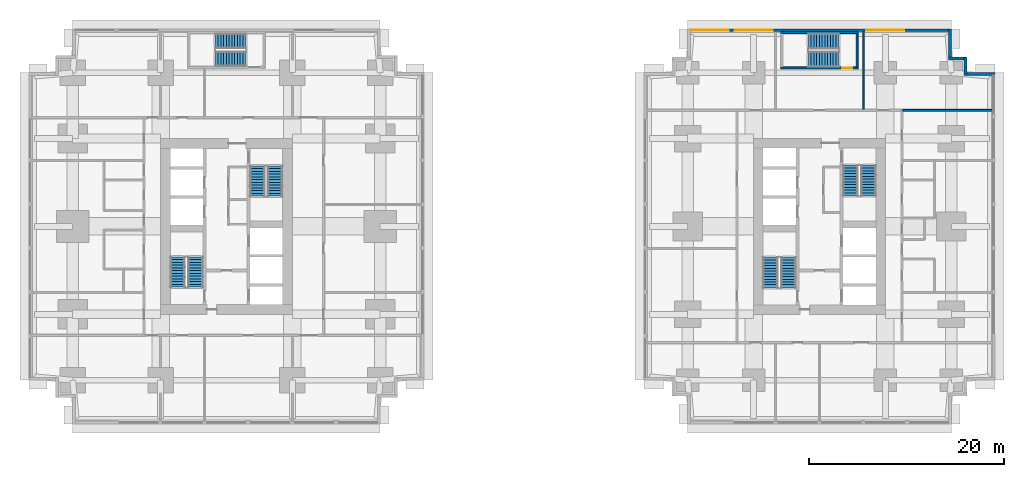
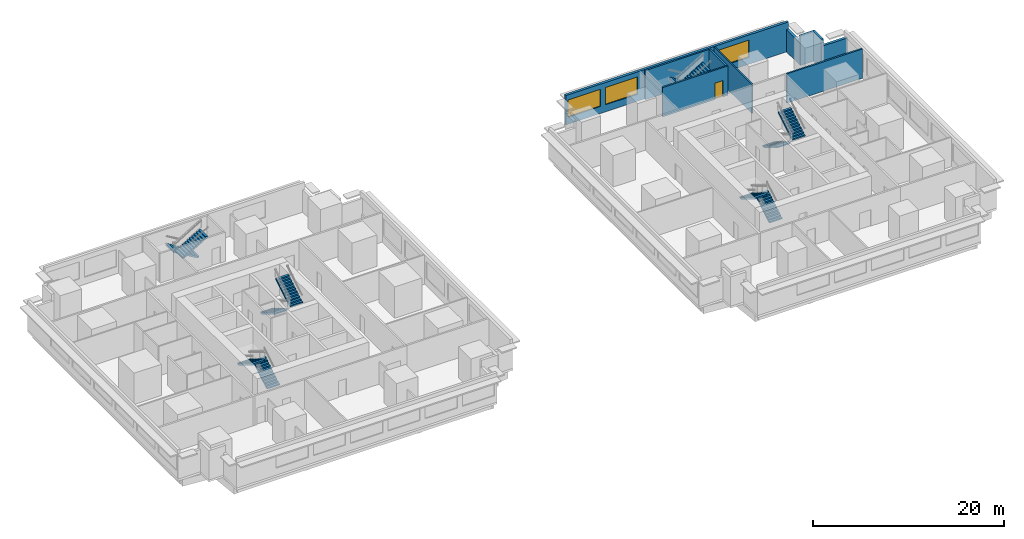
# One storey, part 8 of 11: 12 stair flights, 10 walls, 3 windows, 1 door, 4 openings, 6 elements without a shape of their own.
"""IFC4 building model written with IfcOpenShell, lengths in metres."""

from ifc_helpers import new_model, si_unit, direction, frame, frame_2d, origin, place, context, subcontext, project, spatial, polyline, rectangle, outline, extrude, material, layer, layer_set, type_object, element, fill, aggregate, save


model = new_model("IFC4")

# Units and contexts
model_context = context("Model", 3, precision=1e-05, world=origin(), true_north=direction((0.0, 1.0)))
body_context = subcontext(model_context, "Body", "Model", "MODEL_VIEW")
ifc_project = project(units=[si_unit("LENGTHUNIT", "METRE"), si_unit("AREAUNIT", "SQUARE_METRE"), si_unit("VOLUMEUNIT", "CUBIC_METRE"), si_unit("PLANEANGLEUNIT", "RADIAN"), si_unit("MASSUNIT", "GRAM", prefix="KILO")], contexts=[model_context])

# Site, building, storey
site_placement = place(None, origin())
site = spatial("IfcSite", under=ifc_project, at=site_placement, CompositionType="ELEMENT")
building_placement = place(site_placement, origin())
building = spatial("IfcBuilding", under=site, at=building_placement, Name="Namib Vertical Campus", CompositionType="ELEMENT")
storey_placement = place(building_placement, frame((0.0, 0.0, 41.0)))
storey = spatial("IfcBuildingStorey", under=building, at=storey_placement, Name="L09", CompositionType="ELEMENT", Elevation=41.0)

# Walls
ifc_material_1 = material(Name="Concrete masonry", Category="masonry")
ifc_layer_1 = layer(ifc_material_1, 0.199951171875)
ifc_layer_set_1 = layer_set([ifc_layer_1], Name="Corridor wall 200")
wall_type_1 = type_object("IfcWallType", Name="Corridor wall 200", PredefinedType="SOLIDWALL", material=ifc_layer_set_1)
wall_1_placement = place(storey_placement, frame((89.550048828125, 32.14990234375, 0.0), z_axis=(0.0, 0.0, 1.0), x_axis=(1.0, 0.0, 0.0)))
element("IfcWall", 1, at=wall_1_placement, inside=storey, type_object=wall_type_1, Name="Partition B L09 BNE", PredefinedType="SOLIDWALL", context=body_context, shape_type="SweptSolid", body=[
    extrude(rectangle(XDim=9.14990234375, YDim=0.199951171875, at=frame_2d((4.574951171875, 0.0))), origin(), (0.0, 0.0, 1.0), 3.75),
])
ifc_material_2 = material(Name="Concrete C40/50", Category="concrete")
ifc_layer_2 = layer(ifc_material_2, 0.300048828125)
ifc_layer_set_2 = layer_set([ifc_layer_2], Name="Concrete C40/50")
wall_type_2 = type_object("IfcWallType", Name="External wall 300 board-marked concrete", PredefinedType="STANDARD", material=ifc_layer_set_2)
wall_2_placement = place(storey_placement, frame((98.97998046875, 35.85009765625, 0.0), z_axis=(0.0, 0.0, 1.0), x_axis=(-1.0, 0.0, 0.0)))
element("IfcWall", 2, at=wall_2_placement, inside=storey, type_object=wall_type_2, Name="External wall L09 F07", PredefinedType="STANDARD", context=body_context, shape_type="SweptSolid", body=[
    extrude(rectangle(XDim=3.159912109375, YDim=0.300048828125, at=frame_2d((1.580078125, 0.0))), origin(), (0.0, 0.0, 1.0), 2.85009765625),
])
for number, where, z_axis, x_axis, name in (
    (3, (95.949951171875, 35.719970703125, 0.0), (0.0, 0.0, 1.0), (0.0, 1.0, 0.0), "External wall L09 F08"),
    (4, (96.080078125, 37.449951171875, 0.0), (0.0, 0.0, 1.0), (-1.0, 0.0, 0.0), "External wall L09 F09"),
):
    element("IfcWall", number, at=place(storey_placement, frame(where, z_axis=z_axis, x_axis=x_axis)), inside=storey, type_object=wall_type_2, Name=name, PredefinedType="STANDARD", context=body_context, shape_type="SweptSolid", body=[
        extrude(rectangle(XDim=1.860107421875, YDim=0.300048828125, at=frame_2d((0.93017578125, 0.0))), origin(), (0.0, 0.0, 1.0), 3.75),
    ])
wall_3_placement = place(storey_placement, frame((94.35009765625, 37.320068359375, 0.0), z_axis=(0.0, 0.0, 1.0), x_axis=(0.0, 1.0, 0.0)))
element("IfcWall", 5, at=wall_3_placement, inside=storey, type_object=wall_type_2, Name="External wall L09 F10", PredefinedType="STANDARD", context=body_context, shape_type="SweptSolid", body=[
    extrude(rectangle(XDim=3.159912109375, YDim=0.300048828125, at=frame_2d((1.580078125, 0.0))), origin(), (0.0, 0.0, 1.0), 2.85009765625),
])

# Wall, openings, windows
wall_4_placement = place(storey_placement, frame((94.47998046875, 40.35009765625, 0.0), z_axis=(0.0, 0.0, 1.0), x_axis=(-1.0, 0.0, 0.0)))
wall_4 = element("IfcWall", 6, at=wall_4_placement, inside=storey, type_object=wall_type_2, Name="External wall L09 F11", PredefinedType="STANDARD", context=body_context, shape_type="SweptSolid", body=[
    extrude(rectangle(XDim=26.9599609375, YDim=0.300048828125, at=frame_2d((13.47998046875, 0.0))), origin(), (0.0, 0.0, 1.0), 3.75),
])
opening_1_placement = place(wall_4_placement, frame((22.780029296875, 0.0, 0.89990234375)))
opening_1 = element("IfcOpeningElement", 7, at=opening_1_placement, cuts=wall_4, Name="Opening W1", PredefinedType="OPENING", context=body_context, shape_type="SweptSolid", body=[
    extrude(rectangle(XDim=3.89990234375, YDim=2.199951171875, at=frame_2d((1.949951171875, 1.10009765625))), frame((0.0, 0.159912109375, 0.0), z_axis=(0.0, -1.0, 0.0), x_axis=(1.0, 0.0, 0.0)), (0.0, 0.0, 1.0), 0.320068359375),
])
opening_2_placement = place(wall_4_placement, frame((18.280029296875, 0.0, 0.89990234375)))
opening_2 = element("IfcOpeningElement", 8, at=opening_2_placement, cuts=wall_4, Name="Opening W1", PredefinedType="OPENING", context=body_context, shape_type="SweptSolid", body=[
    extrude(rectangle(XDim=3.89990234375, YDim=2.199951171875, at=frame_2d((1.949951171875, 1.10009765625))), frame((0.0, 0.159912109375, 0.0), z_axis=(0.0, -1.0, 0.0), x_axis=(1.0, 0.0, 0.0)), (0.0, 0.0, 1.0), 0.320068359375),
])
opening_3_placement = place(wall_4_placement, frame((4.780029296875, 0.0, 0.89990234375)))
opening_3 = element("IfcOpeningElement", 9, at=opening_3_placement, cuts=wall_4, Name="Opening W1", PredefinedType="OPENING", context=body_context, shape_type="SweptSolid", body=[
    extrude(rectangle(XDim=3.89990234375, YDim=2.199951171875, at=frame_2d((1.949951171875, 1.10009765625))), frame((0.0, 0.159912109375, 0.0), z_axis=(0.0, -1.0, 0.0), x_axis=(1.0, 0.0, 0.0)), (0.0, 0.0, 1.0), 0.320068359375),
])
ifc_material_3 = material(Name="Dark tinted glass in black aluminium frame", Category="aluminium")
window_type = type_object("IfcWindowType", Name="Ribbon window 3900x2200", PartitioningType="SINGLE_PANEL", PredefinedType="WINDOW", material=ifc_material_3)
window_1_placement = place(opening_1_placement, origin())
window_1 = element("IfcWindow", 10, at=window_1_placement, inside=storey, type_object=window_type, Name="Window W1 L09 F11-1", OverallHeight=2.199951171875, OverallWidth=3.89990234375, PartitioningType="SINGLE_PANEL", PredefinedType="WINDOW", context=body_context, shape_type="SweptSolid", body=[
    extrude(rectangle(XDim=3.89990234375, YDim=2.199951171875, at=frame_2d((1.949951171875, 1.10009765625))), frame((0.0, 0.030029296875, 0.0), z_axis=(0.0, -1.0, 0.0), x_axis=(1.0, 0.0, 0.0)), (0.0, 0.0, 1.0), 0.06005859375),
])
fill(opening_1, window_1)
window_2_placement = place(opening_2_placement, origin())
window_2 = element("IfcWindow", 11, at=window_2_placement, inside=storey, type_object=window_type, Name="Window W1 L09 F11-2", OverallHeight=2.199951171875, OverallWidth=3.89990234375, PartitioningType="SINGLE_PANEL", PredefinedType="WINDOW", context=body_context, shape_type="SweptSolid", body=[
    extrude(rectangle(XDim=3.89990234375, YDim=2.199951171875, at=frame_2d((1.949951171875, 1.10009765625))), frame((0.0, 0.030029296875, 0.0), z_axis=(0.0, -1.0, 0.0), x_axis=(1.0, 0.0, 0.0)), (0.0, 0.0, 1.0), 0.06005859375),
])
fill(opening_2, window_2)
window_3_placement = place(opening_3_placement, origin())
window_3 = element("IfcWindow", 12, at=window_3_placement, inside=storey, type_object=window_type, Name="Window W1 L09 F11-5", OverallHeight=2.199951171875, OverallWidth=3.89990234375, PartitioningType="SINGLE_PANEL", PredefinedType="WINDOW", context=body_context, shape_type="SweptSolid", body=[
    extrude(rectangle(XDim=3.89990234375, YDim=2.199951171875, at=frame_2d((1.949951171875, 1.10009765625))), frame((0.0, 0.030029296875, 0.0), z_axis=(0.0, -1.0, 0.0), x_axis=(1.0, 0.0, 0.0)), (0.0, 0.0, 1.0), 0.06005859375),
])
fill(opening_3, window_3)

# Wall
ifc_material_4 = material(Name="Gypsum board on steel studs", Category="steel")
ifc_layer_3 = layer(ifc_material_4, 0.14990234375)
ifc_layer_set_3 = layer_set([ifc_layer_3], Name="Gypsum board on steel studs")
wall_type_3 = type_object("IfcWallType", Name="Partition 150", PredefinedType="PARTITIONING", material=ifc_layer_set_3)
wall_5_placement = place(storey_placement, frame((85.5, 32.25, 0.0), z_axis=(0.0, 0.0, 1.0), x_axis=(0.0, 1.0, 0.0)))
element("IfcWall", 13, at=wall_5_placement, inside=storey, type_object=wall_type_3, Name="Partition B L09 PN2", PredefinedType="PARTITIONING", context=body_context, shape_type="SweptSolid", body=[
    extrude(rectangle(XDim=7.949951171875, YDim=0.14990234375, at=frame_2d((3.97509765625, 0.0))), origin(), (0.0, 0.0, 1.0), 3.75),
])

# Wall, opening, door
ifc_material_5 = material(Name="Concrete C40/50", Category="concrete")
ifc_layer_4 = layer(ifc_material_5, 0.199951171875)
ifc_layer_set_4 = layer_set([ifc_layer_4], Name="Concrete C40/50")
wall_type_4 = type_object("IfcWallType", Name="Stair enclosure wall RC 200", PredefinedType="SOLIDWALL", material=ifc_layer_set_4)
wall_6_placement = place(storey_placement, frame((77.050048828125, 36.5, 0.0), z_axis=(0.0, 0.0, 1.0), x_axis=(1.0, 0.0, 0.0)))
wall_6 = element("IfcWall", 14, at=wall_6_placement, inside=storey, type_object=wall_type_4, Name="Stair enclosure wall B-S3 L09 S", PredefinedType="SOLIDWALL", context=body_context, shape_type="SweptSolid", body=[
    extrude(rectangle(XDim=7.89990234375, YDim=0.199951171875, at=frame_2d((3.949951171875, 0.0))), origin(), (0.0, 0.0, 1.0), 3.75),
])
opening_4_placement = place(wall_6_placement, frame((6.300048828125, 0.0, 0.0)))
opening_4 = element("IfcOpeningElement", 15, at=opening_4_placement, cuts=wall_6, Name="Opening FD1", PredefinedType="OPENING", context=body_context, shape_type="SweptSolid", body=[
    extrude(rectangle(XDim=1.0, YDim=2.10009765625, at=frame_2d((0.5, 1.050048828125))), frame((0.0, 0.10986328125, 0.0), z_axis=(0.0, -1.0, 0.0), x_axis=(1.0, 0.0, 0.0)), (0.0, 0.0, 1.0), 0.219970703125),
])
ifc_material_6 = material(Name="Steel fire door", Category="steel")
door_type = type_object("IfcDoorType", Name="Fire door 1000x2100", OperationType="SINGLE_SWING_RIGHT", PredefinedType="DOOR", material=ifc_material_6)
door_placement = place(opening_4_placement, origin())
door = element("IfcDoor", 16, at=door_placement, inside=storey, type_object=door_type, Name="Stair door FD1 B L09 S3", OperationType="SINGLE_SWING_RIGHT", OverallHeight=2.10009765625, OverallWidth=1.0, PredefinedType="DOOR", context=body_context, shape_type="SweptSolid", body=[
    extrude(rectangle(XDim=1.0, YDim=2.10009765625, at=frame_2d((0.5, 1.050048828125))), frame((0.0, 0.02490234375, 0.0), z_axis=(0.0, -1.0, 0.0), x_axis=(1.0, 0.0, 0.0)), (0.0, 0.0, 1.0), 0.050048828125),
])
fill(opening_4, door)

# Walls
wall_7_placement = place(storey_placement, frame((77.050048828125, 40.10009765625, 0.0), z_axis=(0.0, 0.0, 1.0), x_axis=(1.0, 0.0, 0.0)))
element("IfcWall", 17, at=wall_7_placement, inside=storey, type_object=wall_type_4, Name="Stair enclosure wall B-S3 L09 N", PredefinedType="SOLIDWALL", context=body_context, shape_type="SweptSolid", body=[
    extrude(rectangle(XDim=7.89990234375, YDim=0.199951171875, at=frame_2d((3.949951171875, 0.0))), origin(), (0.0, 0.0, 1.0), 3.75),
])
wall_8_placement = place(storey_placement, frame((84.85009765625, 36.60009765625, 0.0), z_axis=(0.0, 0.0, 1.0), x_axis=(0.0, 1.0, 0.0)))
element("IfcWall", 18, at=wall_8_placement, inside=storey, type_object=wall_type_4, Name="Stair enclosure wall B-S3 L09 E", PredefinedType="SOLIDWALL", context=body_context, shape_type="SweptSolid", body=[
    extrude(rectangle(XDim=3.39990234375, YDim=0.199951171875, at=frame_2d((1.699951171875, 0.0))), origin(), (0.0, 0.0, 1.0), 3.75),
])

# Stair, stair flights
ifc_material_7 = material(Name="Concrete C40/50 precast", Category="concrete")
stair_type_1 = type_object("IfcStairType", Name="Exit stair 4000 rise 24 risers 3350 wide", PredefinedType="HALF_TURN_STAIR", material=ifc_material_7)
stair_1_placement = place(storey_placement, origin())
stair_1 = element("IfcStair", 19, at=stair_1_placement, inside=storey, type_object=stair_type_1, Name="Exit stair A-S1 L09", PredefinedType="HALF_TURN_STAIR")
ifc_material_8 = material(Name="Concrete C40/50 precast", Category="concrete")
stair_flight_type_1 = type_object("IfcStairFlightType", Name="Stair flight 12 risers 167 1525 wide", PredefinedType="STRAIGHT", material=ifc_material_8)
stair_flight_1_placement = place(storey_placement, frame((17.08740234375, 14.050048828125, 0.0), z_axis=(0.0, 0.0, 1.0), x_axis=(0.0, 1.0, 0.0)))
stair_flight_1 = element("IfcStairFlight", 20, at=stair_flight_1_placement, type_object=stair_flight_type_1, Name="A-S1 flight 1", NumberOfRisers=12, NumberOfTreads=11, PredefinedType="STRAIGHT", RiserHeight=0.166666667, TreadLength=0.28, context=body_context, shape_type="SweptSolid", body=[
    extrude(outline(polyline([(0.0, 0.0), (0.0, 0.166748046875), (0.280029296875, 0.166748046875), (0.280029296875, 0.333251953125), (0.56005859375, 0.333251953125), (0.56005859375, 0.5), (0.840087890625, 0.5), (0.840087890625, 0.666748046875), (1.1201171875, 0.666748046875), (1.1201171875, 0.833251953125), (1.39990234375, 0.833251953125), (1.39990234375, 1.0), (1.679931640625, 1.0), (1.679931640625, 1.166748046875), (1.9599609375, 1.166748046875), (1.9599609375, 1.333251953125), (2.239990234375, 1.333251953125), (2.239990234375, 1.5), (2.52001953125, 1.5), (2.52001953125, 1.666748046875), (2.800048828125, 1.666748046875), (2.800048828125, 1.833251953125), (3.080078125, 1.833251953125), (3.080078125, 2.0), (3.080078125, 1.658935546875), (0.29296875, 0.0), (0.0, 0.0)])), frame((0.0, 0.762451171875, 0.0), z_axis=(0.0, -1.0, 0.0), x_axis=(1.0, 0.0, 0.0)), (0.0, 0.0, 1.0), 1.52490234375),
])
stair_flight_2_placement = place(storey_placement, frame((15.262451171875, 17.1298828125, 2.0), z_axis=(0.0, 0.0, 1.0), x_axis=(0.0, -1.0, 0.0)))
stair_flight_2 = element("IfcStairFlight", 21, at=stair_flight_2_placement, type_object=stair_flight_type_1, Name="A-S1 flight 2", NumberOfRisers=12, NumberOfTreads=11, PredefinedType="STRAIGHT", RiserHeight=0.166666667, TreadLength=0.28, context=body_context, shape_type="SweptSolid", body=[
    extrude(outline(polyline([(0.0, 0.0), (0.0, 0.166748046875), (0.280029296875, 0.166748046875), (0.280029296875, 0.333251953125), (0.56005859375, 0.333251953125), (0.56005859375, 0.5), (0.840087890625, 0.5), (0.840087890625, 0.666748046875), (1.1201171875, 0.666748046875), (1.1201171875, 0.833251953125), (1.39990234375, 0.833251953125), (1.39990234375, 1.0), (1.679931640625, 1.0), (1.679931640625, 1.166748046875), (1.9599609375, 1.166748046875), (1.9599609375, 1.333251953125), (2.239990234375, 1.333251953125), (2.239990234375, 1.5), (2.52001953125, 1.5), (2.52001953125, 1.666748046875), (2.800048828125, 1.666748046875), (2.800048828125, 1.833251953125), (3.080078125, 1.833251953125), (3.080078125, 2.0), (3.080078125, 1.658935546875), (0.29296875, 0.0), (0.0, 0.0)])), frame((0.0, 0.762451171875, 0.0), z_axis=(0.0, -1.0, 0.0), x_axis=(1.0, 0.0, 0.0)), (0.0, 0.0, 1.0), 1.52490234375),
])
aggregate(stair_1, [stair_flight_1, stair_flight_2])

stair_2_placement = place(storey_placement, origin())
stair_2 = element("IfcStair", 22, at=stair_2_placement, inside=storey, type_object=stair_type_1, Name="Exit stair A-S2 L09", PredefinedType="HALF_TURN_STAIR")
stair_flight_3_placement = place(storey_placement, frame((23.41259765625, 26.449951171875, 0.0), z_axis=(0.0, 0.0, 1.0), x_axis=(0.0, -1.0, 0.0)))
stair_flight_3 = element("IfcStairFlight", 23, at=stair_flight_3_placement, type_object=stair_flight_type_1, Name="A-S2 flight 1", NumberOfRisers=12, NumberOfTreads=11, PredefinedType="STRAIGHT", RiserHeight=0.166666667, TreadLength=0.28, context=body_context, shape_type="SweptSolid", body=[
    extrude(outline(polyline([(0.0, 0.0), (0.0, 0.166748046875), (0.280029296875, 0.166748046875), (0.280029296875, 0.333251953125), (0.56005859375, 0.333251953125), (0.56005859375, 0.5), (0.840087890625, 0.5), (0.840087890625, 0.666748046875), (1.1201171875, 0.666748046875), (1.1201171875, 0.833251953125), (1.39990234375, 0.833251953125), (1.39990234375, 1.0), (1.679931640625, 1.0), (1.679931640625, 1.166748046875), (1.9599609375, 1.166748046875), (1.9599609375, 1.333251953125), (2.239990234375, 1.333251953125), (2.239990234375, 1.5), (2.52001953125, 1.5), (2.52001953125, 1.666748046875), (2.800048828125, 1.666748046875), (2.800048828125, 1.833251953125), (3.080078125, 1.833251953125), (3.080078125, 2.0), (3.080078125, 1.658935546875), (0.29296875, 0.0), (0.0, 0.0)])), frame((0.0, 0.762451171875, 0.0), z_axis=(0.0, -1.0, 0.0), x_axis=(1.0, 0.0, 0.0)), (0.0, 0.0, 1.0), 1.52490234375),
])
stair_flight_4_placement = place(storey_placement, frame((25.237548828125, 23.3701171875, 2.0), z_axis=(0.0, 0.0, 1.0), x_axis=(0.0, 1.0, 0.0)))
stair_flight_4 = element("IfcStairFlight", 24, at=stair_flight_4_placement, type_object=stair_flight_type_1, Name="A-S2 flight 2", NumberOfRisers=12, NumberOfTreads=11, PredefinedType="STRAIGHT", RiserHeight=0.166666667, TreadLength=0.28, context=body_context, shape_type="SweptSolid", body=[
    extrude(outline(polyline([(0.0, 0.0), (0.0, 0.166748046875), (0.280029296875, 0.166748046875), (0.280029296875, 0.333251953125), (0.56005859375, 0.333251953125), (0.56005859375, 0.5), (0.840087890625, 0.5), (0.840087890625, 0.666748046875), (1.1201171875, 0.666748046875), (1.1201171875, 0.833251953125), (1.39990234375, 0.833251953125), (1.39990234375, 1.0), (1.679931640625, 1.0), (1.679931640625, 1.166748046875), (1.9599609375, 1.166748046875), (1.9599609375, 1.333251953125), (2.239990234375, 1.333251953125), (2.239990234375, 1.5), (2.52001953125, 1.5), (2.52001953125, 1.666748046875), (2.800048828125, 1.666748046875), (2.800048828125, 1.833251953125), (3.080078125, 1.833251953125), (3.080078125, 2.0), (3.080078125, 1.658935546875), (0.29296875, 0.0), (0.0, 0.0)])), frame((0.0, 0.762451171875, 0.0), z_axis=(0.0, -1.0, 0.0), x_axis=(1.0, 0.0, 0.0)), (0.0, 0.0, 1.0), 1.52490234375),
])
aggregate(stair_2, [stair_flight_3, stair_flight_4])

stair_3_placement = place(storey_placement, origin())
stair_3 = element("IfcStair", 25, at=stair_3_placement, inside=storey, type_object=stair_type_1, Name="Exit stair A-S3 L09", PredefinedType="HALF_TURN_STAIR")
stair_flight_5_placement = place(storey_placement, frame((22.199951171875, 39.237548828125, 0.0), z_axis=(0.0, 0.0, 1.0), x_axis=(-1.0, 0.0, 0.0)))
stair_flight_5 = element("IfcStairFlight", 26, at=stair_flight_5_placement, type_object=stair_flight_type_1, Name="A-S3 flight 1", NumberOfRisers=12, NumberOfTreads=11, PredefinedType="STRAIGHT", RiserHeight=0.166666667, TreadLength=0.28, context=body_context, shape_type="SweptSolid", body=[
    extrude(outline(polyline([(0.0, 0.0), (0.0, 0.166748046875), (0.280029296875, 0.166748046875), (0.280029296875, 0.333251953125), (0.56005859375, 0.333251953125), (0.56005859375, 0.5), (0.840087890625, 0.5), (0.840087890625, 0.666748046875), (1.1201171875, 0.666748046875), (1.1201171875, 0.833251953125), (1.39990234375, 0.833251953125), (1.39990234375, 1.0), (1.679931640625, 1.0), (1.679931640625, 1.166748046875), (1.9599609375, 1.166748046875), (1.9599609375, 1.333251953125), (2.239990234375, 1.333251953125), (2.239990234375, 1.5), (2.52001953125, 1.5), (2.52001953125, 1.666748046875), (2.800048828125, 1.666748046875), (2.800048828125, 1.833251953125), (3.080078125, 1.833251953125), (3.080078125, 2.0), (3.080078125, 1.658935546875), (0.29296875, 0.0), (0.0, 0.0)])), frame((0.0, 0.762451171875, 0.0), z_axis=(0.0, -1.0, 0.0), x_axis=(1.0, 0.0, 0.0)), (0.0, 0.0, 1.0), 1.52490234375),
])
stair_flight_6_placement = place(storey_placement, frame((19.1201171875, 37.41259765625, 2.0), z_axis=(0.0, 0.0, 1.0), x_axis=(1.0, 0.0, 0.0)))
stair_flight_6 = element("IfcStairFlight", 27, at=stair_flight_6_placement, type_object=stair_flight_type_1, Name="A-S3 flight 2", NumberOfRisers=12, NumberOfTreads=11, PredefinedType="STRAIGHT", RiserHeight=0.166666667, TreadLength=0.28, context=body_context, shape_type="SweptSolid", body=[
    extrude(outline(polyline([(0.0, 0.0), (0.0, 0.166748046875), (0.280029296875, 0.166748046875), (0.280029296875, 0.333251953125), (0.56005859375, 0.333251953125), (0.56005859375, 0.5), (0.840087890625, 0.5), (0.840087890625, 0.666748046875), (1.1201171875, 0.666748046875), (1.1201171875, 0.833251953125), (1.39990234375, 0.833251953125), (1.39990234375, 1.0), (1.679931640625, 1.0), (1.679931640625, 1.166748046875), (1.9599609375, 1.166748046875), (1.9599609375, 1.333251953125), (2.239990234375, 1.333251953125), (2.239990234375, 1.5), (2.52001953125, 1.5), (2.52001953125, 1.666748046875), (2.800048828125, 1.666748046875), (2.800048828125, 1.833251953125), (3.080078125, 1.833251953125), (3.080078125, 2.0), (3.080078125, 1.658935546875), (0.29296875, 0.0), (0.0, 0.0)])), frame((0.0, 0.762451171875, 0.0), z_axis=(0.0, -1.0, 0.0), x_axis=(1.0, 0.0, 0.0)), (0.0, 0.0, 1.0), 1.52490234375),
])
aggregate(stair_3, [stair_flight_5, stair_flight_6])

ifc_material_9 = material(Name="Concrete C40/50 precast", Category="concrete")
stair_type_2 = type_object("IfcStairType", Name="Exit stair 4000 rise 24 risers 3400 wide", PredefinedType="HALF_TURN_STAIR", material=ifc_material_9)
stair_4_placement = place(storey_placement, origin())
stair_4 = element("IfcStair", 28, at=stair_4_placement, inside=storey, type_object=stair_type_2, Name="Exit stair B-S1 L09", PredefinedType="HALF_TURN_STAIR")
ifc_material_10 = material(Name="Concrete C40/50 precast", Category="concrete")
stair_flight_type_2 = type_object("IfcStairFlightType", Name="Stair flight 12 risers 167 1550 wide", PredefinedType="STRAIGHT", material=ifc_material_10)
stair_flight_7_placement = place(storey_placement, frame((77.824951171875, 14.0, 0.0), z_axis=(0.0, 0.0, 1.0), x_axis=(0.0, 1.0, 0.0)))
stair_flight_7 = element("IfcStairFlight", 29, at=stair_flight_7_placement, type_object=stair_flight_type_2, Name="B-S1 flight 1", NumberOfRisers=12, NumberOfTreads=11, PredefinedType="STRAIGHT", RiserHeight=0.166666667, TreadLength=0.28, context=body_context, shape_type="SweptSolid", body=[
    extrude(outline(polyline([(0.0, 0.0), (0.0, 0.166748046875), (0.280029296875, 0.166748046875), (0.280029296875, 0.333251953125), (0.56005859375, 0.333251953125), (0.56005859375, 0.5), (0.840087890625, 0.5), (0.840087890625, 0.666748046875), (1.1201171875, 0.666748046875), (1.1201171875, 0.833251953125), (1.39990234375, 0.833251953125), (1.39990234375, 1.0), (1.679931640625, 1.0), (1.679931640625, 1.166748046875), (1.9599609375, 1.166748046875), (1.9599609375, 1.333251953125), (2.239990234375, 1.333251953125), (2.239990234375, 1.5), (2.52001953125, 1.5), (2.52001953125, 1.666748046875), (2.800048828125, 1.666748046875), (2.800048828125, 1.833251953125), (3.080078125, 1.833251953125), (3.080078125, 2.0), (3.080078125, 1.658935546875), (0.29296875, 0.0), (0.0, 0.0)])), frame((0.0, 0.77490234375, 0.0), z_axis=(0.0, -1.0, 0.0), x_axis=(1.0, 0.0, 0.0)), (0.0, 0.0, 1.0), 1.550048828125),
])
stair_flight_8_placement = place(storey_placement, frame((75.97509765625, 17.080078125, 2.0), z_axis=(0.0, 0.0, 1.0), x_axis=(0.0, -1.0, 0.0)))
stair_flight_8 = element("IfcStairFlight", 30, at=stair_flight_8_placement, type_object=stair_flight_type_2, Name="B-S1 flight 2", NumberOfRisers=12, NumberOfTreads=11, PredefinedType="STRAIGHT", RiserHeight=0.166666667, TreadLength=0.28, context=body_context, shape_type="SweptSolid", body=[
    extrude(outline(polyline([(0.0, 0.0), (0.0, 0.166748046875), (0.280029296875, 0.166748046875), (0.280029296875, 0.333251953125), (0.56005859375, 0.333251953125), (0.56005859375, 0.5), (0.840087890625, 0.5), (0.840087890625, 0.666748046875), (1.1201171875, 0.666748046875), (1.1201171875, 0.833251953125), (1.39990234375, 0.833251953125), (1.39990234375, 1.0), (1.679931640625, 1.0), (1.679931640625, 1.166748046875), (1.9599609375, 1.166748046875), (1.9599609375, 1.333251953125), (2.239990234375, 1.333251953125), (2.239990234375, 1.5), (2.52001953125, 1.5), (2.52001953125, 1.666748046875), (2.800048828125, 1.666748046875), (2.800048828125, 1.833251953125), (3.080078125, 1.833251953125), (3.080078125, 2.0), (3.080078125, 1.658935546875), (0.29296875, 0.0), (0.0, 0.0)])), frame((0.0, 0.77490234375, 0.0), z_axis=(0.0, -1.0, 0.0), x_axis=(1.0, 0.0, 0.0)), (0.0, 0.0, 1.0), 1.550048828125),
])
aggregate(stair_4, [stair_flight_7, stair_flight_8])

stair_5_placement = place(storey_placement, origin())
stair_5 = element("IfcStair", 31, at=stair_5_placement, inside=storey, type_object=stair_type_2, Name="Exit stair B-S2 L09", PredefinedType="HALF_TURN_STAIR")
stair_flight_9_placement = place(storey_placement, frame((84.175048828125, 26.5, 0.0), z_axis=(0.0, 0.0, 1.0), x_axis=(0.0, -1.0, 0.0)))
stair_flight_9 = element("IfcStairFlight", 32, at=stair_flight_9_placement, type_object=stair_flight_type_2, Name="B-S2 flight 1", NumberOfRisers=12, NumberOfTreads=11, PredefinedType="STRAIGHT", RiserHeight=0.166666667, TreadLength=0.28, context=body_context, shape_type="SweptSolid", body=[
    extrude(outline(polyline([(0.0, 0.0), (0.0, 0.166748046875), (0.280029296875, 0.166748046875), (0.280029296875, 0.333251953125), (0.56005859375, 0.333251953125), (0.56005859375, 0.5), (0.840087890625, 0.5), (0.840087890625, 0.666748046875), (1.1201171875, 0.666748046875), (1.1201171875, 0.833251953125), (1.39990234375, 0.833251953125), (1.39990234375, 1.0), (1.679931640625, 1.0), (1.679931640625, 1.166748046875), (1.9599609375, 1.166748046875), (1.9599609375, 1.333251953125), (2.239990234375, 1.333251953125), (2.239990234375, 1.5), (2.52001953125, 1.5), (2.52001953125, 1.666748046875), (2.800048828125, 1.666748046875), (2.800048828125, 1.833251953125), (3.080078125, 1.833251953125), (3.080078125, 2.0), (3.080078125, 1.658935546875), (0.29296875, 0.0), (0.0, 0.0)])), frame((0.0, 0.77490234375, 0.0), z_axis=(0.0, -1.0, 0.0), x_axis=(1.0, 0.0, 0.0)), (0.0, 0.0, 1.0), 1.550048828125),
])
stair_flight_10_placement = place(storey_placement, frame((86.02490234375, 23.419921875, 2.0), z_axis=(0.0, 0.0, 1.0), x_axis=(0.0, 1.0, 0.0)))
stair_flight_10 = element("IfcStairFlight", 33, at=stair_flight_10_placement, type_object=stair_flight_type_2, Name="B-S2 flight 2", NumberOfRisers=12, NumberOfTreads=11, PredefinedType="STRAIGHT", RiserHeight=0.166666667, TreadLength=0.28, context=body_context, shape_type="SweptSolid", body=[
    extrude(outline(polyline([(0.0, 0.0), (0.0, 0.166748046875), (0.280029296875, 0.166748046875), (0.280029296875, 0.333251953125), (0.56005859375, 0.333251953125), (0.56005859375, 0.5), (0.840087890625, 0.5), (0.840087890625, 0.666748046875), (1.1201171875, 0.666748046875), (1.1201171875, 0.833251953125), (1.39990234375, 0.833251953125), (1.39990234375, 1.0), (1.679931640625, 1.0), (1.679931640625, 1.166748046875), (1.9599609375, 1.166748046875), (1.9599609375, 1.333251953125), (2.239990234375, 1.333251953125), (2.239990234375, 1.5), (2.52001953125, 1.5), (2.52001953125, 1.666748046875), (2.800048828125, 1.666748046875), (2.800048828125, 1.833251953125), (3.080078125, 1.833251953125), (3.080078125, 2.0), (3.080078125, 1.658935546875), (0.29296875, 0.0), (0.0, 0.0)])), frame((0.0, 0.77490234375, 0.0), z_axis=(0.0, -1.0, 0.0), x_axis=(1.0, 0.0, 0.0)), (0.0, 0.0, 1.0), 1.550048828125),
])
aggregate(stair_5, [stair_flight_9, stair_flight_10])

stair_6_placement = place(storey_placement, origin())
stair_6 = element("IfcStair", 34, at=stair_6_placement, inside=storey, type_object=stair_type_2, Name="Exit stair B-S3 L09", PredefinedType="HALF_TURN_STAIR")
stair_flight_11_placement = place(storey_placement, frame((82.949951171875, 39.22509765625, 0.0), z_axis=(0.0, 0.0, 1.0), x_axis=(-1.0, 0.0, 0.0)))
stair_flight_11 = element("IfcStairFlight", 35, at=stair_flight_11_placement, type_object=stair_flight_type_2, Name="B-S3 flight 1", NumberOfRisers=12, NumberOfTreads=11, PredefinedType="STRAIGHT", RiserHeight=0.166666667, TreadLength=0.28, context=body_context, shape_type="SweptSolid", body=[
    extrude(outline(polyline([(0.0, 0.0), (0.0, 0.166748046875), (0.280029296875, 0.166748046875), (0.280029296875, 0.333251953125), (0.56005859375, 0.333251953125), (0.56005859375, 0.5), (0.840087890625, 0.5), (0.840087890625, 0.666748046875), (1.1201171875, 0.666748046875), (1.1201171875, 0.833251953125), (1.39990234375, 0.833251953125), (1.39990234375, 1.0), (1.679931640625, 1.0), (1.679931640625, 1.166748046875), (1.9599609375, 1.166748046875), (1.9599609375, 1.333251953125), (2.239990234375, 1.333251953125), (2.239990234375, 1.5), (2.52001953125, 1.5), (2.52001953125, 1.666748046875), (2.800048828125, 1.666748046875), (2.800048828125, 1.833251953125), (3.080078125, 1.833251953125), (3.080078125, 2.0), (3.080078125, 1.658935546875), (0.29296875, 0.0), (0.0, 0.0)])), frame((0.0, 0.77490234375, 0.0), z_axis=(0.0, -1.0, 0.0), x_axis=(1.0, 0.0, 0.0)), (0.0, 0.0, 1.0), 1.550048828125),
])
stair_flight_12_placement = place(storey_placement, frame((79.8701171875, 37.375, 2.0), z_axis=(0.0, 0.0, 1.0), x_axis=(1.0, 0.0, 0.0)))
stair_flight_12 = element("IfcStairFlight", 36, at=stair_flight_12_placement, type_object=stair_flight_type_2, Name="B-S3 flight 2", NumberOfRisers=12, NumberOfTreads=11, PredefinedType="STRAIGHT", RiserHeight=0.166666667, TreadLength=0.28, context=body_context, shape_type="SweptSolid", body=[
    extrude(outline(polyline([(0.0, 0.0), (0.0, 0.166748046875), (0.280029296875, 0.166748046875), (0.280029296875, 0.333251953125), (0.56005859375, 0.333251953125), (0.56005859375, 0.5), (0.840087890625, 0.5), (0.840087890625, 0.666748046875), (1.1201171875, 0.666748046875), (1.1201171875, 0.833251953125), (1.39990234375, 0.833251953125), (1.39990234375, 1.0), (1.679931640625, 1.0), (1.679931640625, 1.166748046875), (1.9599609375, 1.166748046875), (1.9599609375, 1.333251953125), (2.239990234375, 1.333251953125), (2.239990234375, 1.5), (2.52001953125, 1.5), (2.52001953125, 1.666748046875), (2.800048828125, 1.666748046875), (2.800048828125, 1.833251953125), (3.080078125, 1.833251953125), (3.080078125, 2.0), (3.080078125, 1.658935546875), (0.29296875, 0.0), (0.0, 0.0)])), frame((0.0, 0.77490234375, 0.0), z_axis=(0.0, -1.0, 0.0), x_axis=(1.0, 0.0, 0.0)), (0.0, 0.0, 1.0), 1.550048828125),
])
aggregate(stair_6, [stair_flight_11, stair_flight_12])

save(model, "model.ifc")
